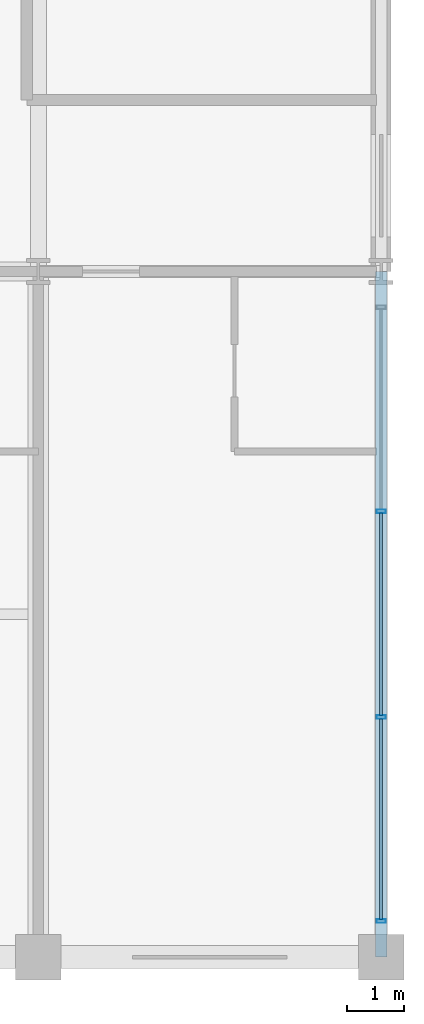
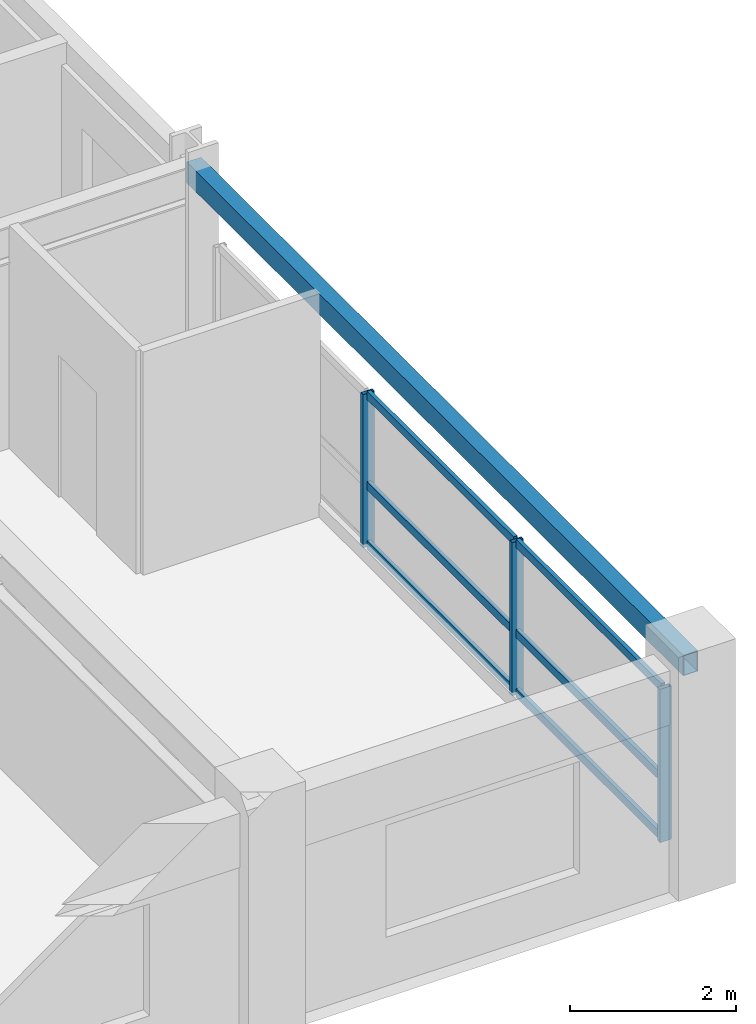
# One storey, part 10 of 26: 9 members, 1 beam, 1 element without a shape of its own.
"""IFC4 building model written with IfcOpenShell, lengths in metres."""

from ifc_helpers import new_model, si_unit, direction, frame, origin, origin_2d, place, context, subcontext, project, spatial, hollow_rectangle, extrude, material, material_profile, profile_set, type_object, element, aggregate, save


model = new_model("IFC4")

# Units and contexts
model_context = context("Model", 3, precision=1e-05, world=origin(), true_north=direction((0.0, 1.0)))
body_context = subcontext(model_context, "Body", "Model", "MODEL_VIEW")
ifc_project = project(units=[si_unit("LENGTHUNIT", "METRE"), si_unit("AREAUNIT", "SQUARE_METRE"), si_unit("VOLUMEUNIT", "CUBIC_METRE"), si_unit("PLANEANGLEUNIT", "RADIAN"), si_unit("MASSUNIT", "GRAM", prefix="KILO")], contexts=[model_context])

# Site, building, storey
site_placement = place(None, origin())
site = spatial("IfcSite", under=ifc_project, at=site_placement, CompositionType="ELEMENT")
building_placement = place(site_placement, origin())
building = spatial("IfcBuilding", under=site, at=building_placement, Name="Kaldorvane Square Convention Centre", CompositionType="ELEMENT")
storey_placement = place(building_placement, frame((0.0, 0.0, 45.600006103515625)))
storey = spatial("IfcBuildingStorey", under=building, at=storey_placement, Name="L10", CompositionType="ELEMENT", Elevation=45.600006103515625)

# Beam
ifc_material_1 = material(Name="Steel ASTM A500 Gr. C", Category="steel")
ifc_material_profile_1 = material_profile(ifc_material_1, hollow_rectangle(XDim=0.2032012939453125, YDim=0.3047943115234375, WallThickness=0.0088958740234375, at=origin_2d()), Name="HSS12X8X3/8")
ifc_profile_set_1 = profile_set([ifc_material_profile_1], Name="Steel ASTM A500 Gr. C")
beam_type = type_object("IfcBeamType", Name="BM-SP-HSS12", PredefinedType="SPANDREL", material=ifc_profile_set_1)
beam_placement = place(storey_placement, frame((84.0, 84.0, 3.1335906982421875), z_axis=(0.0, 1.0, 0.0), x_axis=(-1.0, 0.0, 0.0)))
element("IfcBeam", 1, at=beam_placement, inside=storey, type_object=beam_type, Name="End Spandrel (L10)", PredefinedType="SPANDREL", context=body_context, shape_type="SweptSolid", body=[
    extrude(hollow_rectangle(XDim=0.2032012939453125, YDim=0.3047943115234375, WallThickness=0.0088958740234375, at=origin_2d()), origin(), (0.0, 0.0, 1.0), 12.0),
])

# Curtain wall, members
ifc_material_2 = material(Name="Anodized Aluminum and Low-E Insulated Glazing", Category="aluminium")
curtain_wall_type = type_object("IfcCurtainWallType", Name="CW-UNI-HTL-A", PredefinedType="USERDEFINED", material=ifc_material_2)
curtain_wall_placement = place(storey_placement, origin())
curtain_wall = element("IfcCurtainWall", 2, at=curtain_wall_placement, inside=storey, type_object=curtain_wall_type, Name="Curtain Wall CW-10 (L10)", ObjectType="UNITISED GLAZING", PredefinedType="USERDEFINED")
ifc_material_profile_2 = material_profile(ifc_material_2, hollow_rectangle(XDim=0.05999755859375, YDim=0.160003662109375, WallThickness=0.003204345703125, at=origin_2d()), Name="CWM-160X60")
ifc_profile_set_2 = profile_set([ifc_material_profile_2], Name="Anodized Aluminum and Low-E Insulated Glazing")
member_type_1 = type_object("IfcMemberType", Name="CW-MUL-160", PredefinedType="MULLION", material=ifc_profile_set_2)
member_1_placement = place(storey_placement, frame((84.0, 84.6300048828125, 0.149993896484375), z_axis=(0.0, 0.0, 1.0), x_axis=(0.0, 1.0, 0.0)))
member_1 = element("IfcMember", 3, at=member_1_placement, type_object=member_type_1, Name="CW-10 mullion 1", PredefinedType="MULLION", context=body_context, shape_type="SweptSolid", body=[
    extrude(hollow_rectangle(XDim=0.05999755859375, YDim=0.160003662109375, WallThickness=0.003204345703125, at=origin_2d()), origin(), (0.0, 0.0, 1.0), 2.2599945068359375),
])
member_2_placement = place(storey_placement, frame((84.0, 88.19999694824219, 0.149993896484375), z_axis=(0.0, 0.0, 1.0), x_axis=(0.0, 1.0, 0.0)))
member_2 = element("IfcMember", 4, at=member_2_placement, type_object=member_type_1, Name="CW-10 mullion 2", PredefinedType="MULLION", context=body_context, shape_type="SweptSolid", body=[
    extrude(hollow_rectangle(XDim=0.05999755859375, YDim=0.160003662109375, WallThickness=0.003204345703125, at=origin_2d()), origin(), (0.0, 0.0, 1.0), 2.2599945068359375),
])
member_3_placement = place(storey_placement, frame((84.0, 91.80000305175781, 0.149993896484375), z_axis=(0.0, 0.0, 1.0), x_axis=(0.0, 1.0, 0.0)))
member_3 = element("IfcMember", 5, at=member_3_placement, type_object=member_type_1, Name="CW-10 mullion 3", PredefinedType="MULLION", context=body_context, shape_type="SweptSolid", body=[
    extrude(hollow_rectangle(XDim=0.05999755859375, YDim=0.160003662109375, WallThickness=0.003204345703125, at=origin_2d()), origin(), (0.0, 0.0, 1.0), 2.2599945068359375),
])
ifc_material_profile_3 = material_profile(ifc_material_2, hollow_rectangle(XDim=0.05499267578125, YDim=0.1199951171875, WallThickness=0.0030059814453125, at=origin_2d()), Name="CWT-120X55")
ifc_profile_set_3 = profile_set([ifc_material_profile_3], Name="Anodized Aluminum and Low-E Insulated Glazing")
member_type_2 = type_object("IfcMemberType", Name="CW-TRN-120", PredefinedType="USERDEFINED", material=ifc_profile_set_3)
member_4_placement = place(storey_placement, frame((84.0, 84.66000366210938, 0.177490234375), z_axis=(0.0, 1.0, 0.0), x_axis=(-1.0, 0.0, 0.0)))
member_4 = element("IfcMember", 6, at=member_4_placement, type_object=member_type_2, Name="CW-10 transom 1.1", ObjectType="TRANSOM", PredefinedType="USERDEFINED", context=body_context, shape_type="SweptSolid", body=[
    extrude(hollow_rectangle(XDim=0.05499267578125, YDim=0.1199951171875, WallThickness=0.0030059814453125, at=origin_2d()), origin(), (0.0, 0.0, 1.0), 3.5099945068359375),
])
member_5_placement = place(storey_placement, frame((84.0, 84.66000366210938, 1.04998779296875), z_axis=(0.0, 1.0, 0.0), x_axis=(-1.0, 0.0, 0.0)))
member_5 = element("IfcMember", 7, at=member_5_placement, type_object=member_type_2, Name="CW-10 transom 1.2", ObjectType="TRANSOM", PredefinedType="USERDEFINED", context=body_context, shape_type="SweptSolid", body=[
    extrude(hollow_rectangle(XDim=0.05499267578125, YDim=0.1199951171875, WallThickness=0.0030059814453125, at=origin_2d()), origin(), (0.0, 0.0, 1.0), 3.5099945068359375),
])
member_6_placement = place(storey_placement, frame((84.0, 84.66000366210938, 2.3824920654296875), z_axis=(0.0, 1.0, 0.0), x_axis=(-1.0, 0.0, 0.0)))
member_6 = element("IfcMember", 8, at=member_6_placement, type_object=member_type_2, Name="CW-10 transom 1.3", ObjectType="TRANSOM", PredefinedType="USERDEFINED", context=body_context, shape_type="SweptSolid", body=[
    extrude(hollow_rectangle(XDim=0.05499267578125, YDim=0.1199951171875, WallThickness=0.0030059814453125, at=origin_2d()), origin(), (0.0, 0.0, 1.0), 3.5099945068359375),
])
member_7_placement = place(storey_placement, frame((84.0, 88.22999572753906, 0.177490234375), z_axis=(0.0, 1.0, 0.0), x_axis=(-1.0, 0.0, 0.0)))
member_7 = element("IfcMember", 9, at=member_7_placement, type_object=member_type_2, Name="CW-10 transom 2.1", ObjectType="TRANSOM", PredefinedType="USERDEFINED", context=body_context, shape_type="SweptSolid", body=[
    extrude(hollow_rectangle(XDim=0.05499267578125, YDim=0.1199951171875, WallThickness=0.0030059814453125, at=origin_2d()), origin(), (0.0, 0.0, 1.0), 3.540008544921875),
])
member_8_placement = place(storey_placement, frame((84.0, 88.22999572753906, 1.04998779296875), z_axis=(0.0, 1.0, 0.0), x_axis=(-1.0, 0.0, 0.0)))
member_8 = element("IfcMember", 10, at=member_8_placement, type_object=member_type_2, Name="CW-10 transom 2.2", ObjectType="TRANSOM", PredefinedType="USERDEFINED", context=body_context, shape_type="SweptSolid", body=[
    extrude(hollow_rectangle(XDim=0.05499267578125, YDim=0.1199951171875, WallThickness=0.0030059814453125, at=origin_2d()), origin(), (0.0, 0.0, 1.0), 3.540008544921875),
])
member_9_placement = place(storey_placement, frame((84.0, 88.22999572753906, 2.3824920654296875), z_axis=(0.0, 1.0, 0.0), x_axis=(-1.0, 0.0, 0.0)))
member_9 = element("IfcMember", 11, at=member_9_placement, type_object=member_type_2, Name="CW-10 transom 2.3", ObjectType="TRANSOM", PredefinedType="USERDEFINED", context=body_context, shape_type="SweptSolid", body=[
    extrude(hollow_rectangle(XDim=0.05499267578125, YDim=0.1199951171875, WallThickness=0.0030059814453125, at=origin_2d()), origin(), (0.0, 0.0, 1.0), 3.540008544921875),
])
aggregate(curtain_wall, [member_1, member_2, member_3, member_4, member_5, member_6, member_7, member_8, member_9])

save(model, "model.ifc")
